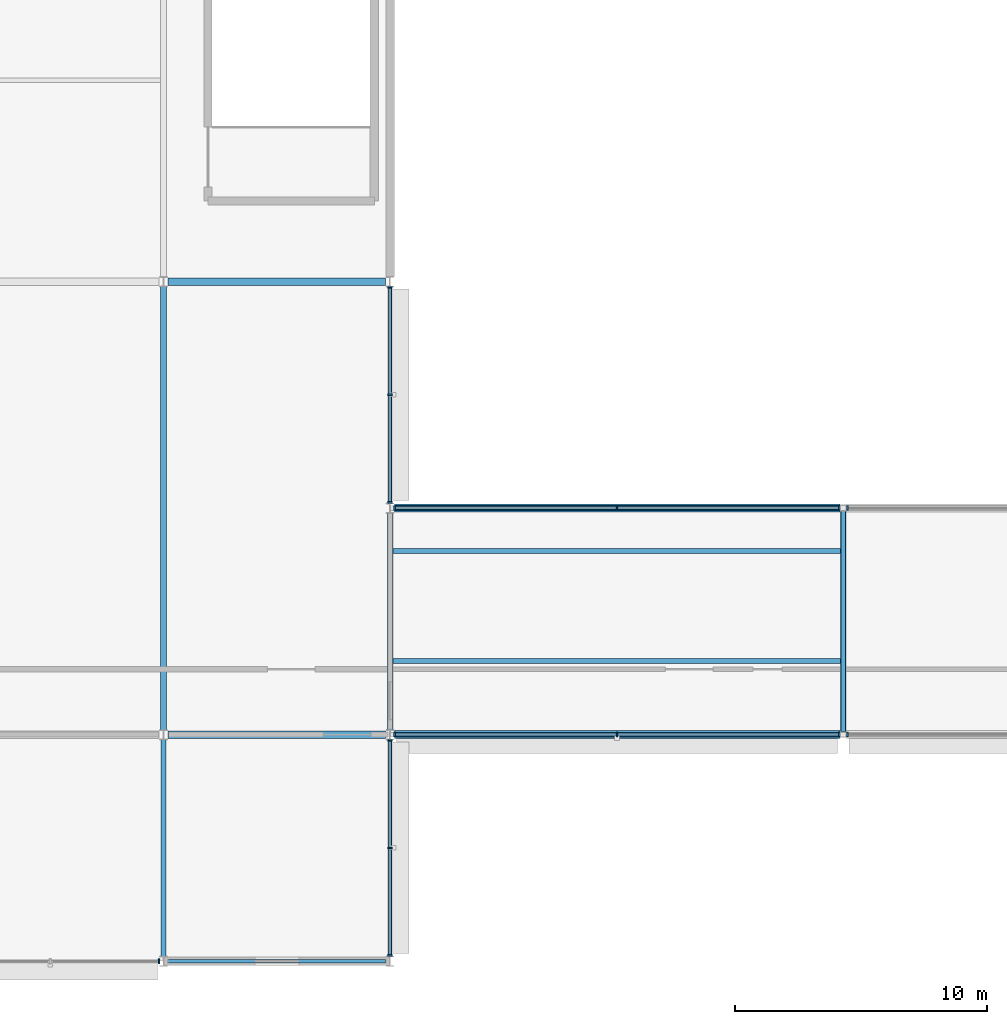
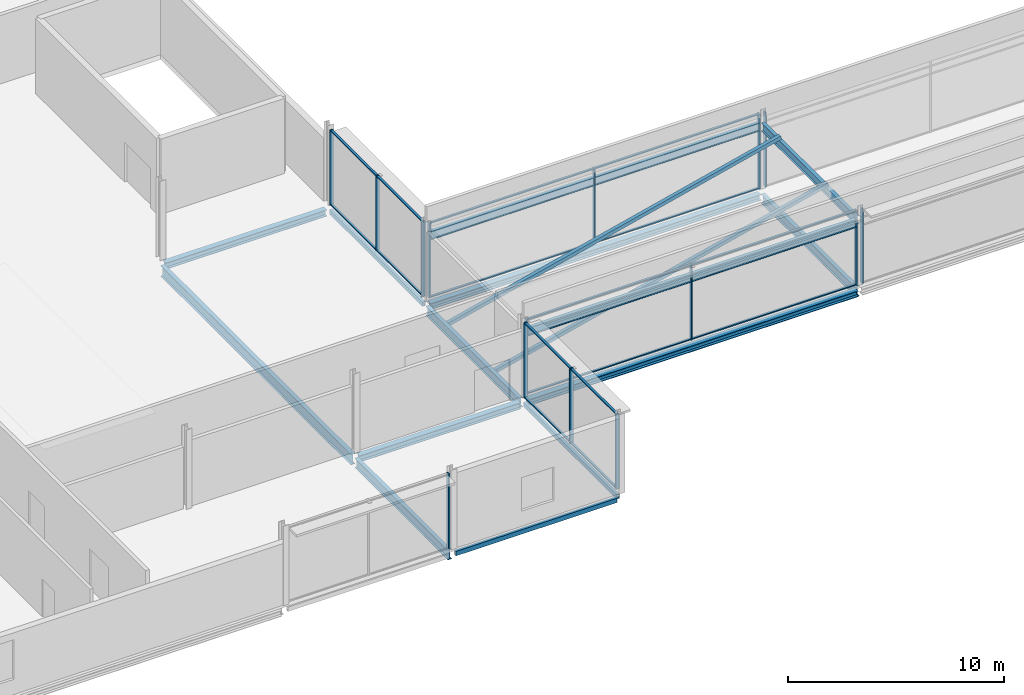
# One storey, part 16 of 73: 33 members, 14 beams, 7 elements without a shape of their own.
"""IFC4 building model written with IfcOpenShell, lengths in metres."""

from ifc_helpers import new_model, si_unit, direction, frame, origin, origin_2d, place, context, subcontext, project, spatial, rectangle, hollow_rectangle, i_section, extrude, material, layer, layer_set, material_profile, profile_set, type_object, element, aggregate, save


model = new_model("IFC4")

# Units and contexts
model_context = context("Model", 3, precision=1e-05, world=origin(), true_north=direction((0.0, 1.0)))
body_context = subcontext(model_context, "Body", "Model", "MODEL_VIEW")
ifc_project = project(units=[si_unit("LENGTHUNIT", "METRE"), si_unit("AREAUNIT", "SQUARE_METRE"), si_unit("VOLUMEUNIT", "CUBIC_METRE"), si_unit("PLANEANGLEUNIT", "RADIAN"), si_unit("MASSUNIT", "GRAM", prefix="KILO")], contexts=[model_context])

# Site, building, storey
site_placement = place(None, origin())
site = spatial("IfcSite", under=ifc_project, at=site_placement, CompositionType="ELEMENT")
building_placement = place(site_placement, origin())
building = spatial("IfcBuilding", under=site, at=building_placement, Name="Kisiwana Market Hall", CompositionType="ELEMENT")
storey_placement = place(building_placement, frame((0.0, 0.0, 33.300048828125)))
storey = spatial("IfcBuildingStorey", under=building, at=storey_placement, Name="L07", CompositionType="ELEMENT", Elevation=33.300048828125)

# Beams
ifc_material_1 = material(Name="Steel S355", Category="steel")
ifc_material_profile_1 = material_profile(ifc_material_1, i_section(OverallWidth=0.300048828125, OverallDepth=0.360107421875, WebThickness=0.012451171875, FlangeThickness=0.0224609375, at=origin_2d()), Name="HEB 360")
ifc_profile_set_1 = profile_set([ifc_material_profile_1], Name="Steel S355")
beam_type_1 = type_object("IfcBeamType", Name="BM-GIRD-HEB360", PredefinedType="BEAM", material=ifc_profile_set_1)
for number, where, z_axis, x_axis, name in (
    (1, (36.18115234375, 18.0, -0.4599609375), (1.0, 0.0, 0.0), (0.0, 1.0, 0.0), "Floor beam B-1966"),
    (2, (36.18115234375, 36.0, -0.4599609375), (1.0, 0.0, 0.0), (0.0, 1.0, 0.0), "Floor beam B-1986"),
):
    element("IfcBeam", number, at=place(storey_placement, frame(where, z_axis=z_axis, x_axis=x_axis)), inside=storey, type_object=beam_type_1, Name=name, PredefinedType="BEAM", context=body_context, shape_type="SweptSolid", body=[
        extrude(i_section(OverallWidth=0.300048828125, OverallDepth=0.360107421875, WebThickness=0.012451171875, FlangeThickness=0.0224609375, at=origin_2d()), origin(), (0.0, 0.0, 1.0), 8.6376953125),
    ])
ifc_material_2 = material(Name="Steel S355", Category="steel")
ifc_material_profile_2 = material_profile(ifc_material_2, i_section(OverallWidth=0.19140625, OverallDepth=0.4599609375, WebThickness=0.010009765625, FlangeThickness=0.01611328125, at=origin_2d()), Name="UB 457x191x82")
ifc_profile_set_2 = profile_set([ifc_material_profile_2], Name="Steel S355")
beam_type_2 = type_object("IfcBeamType", Name="BM-GIRD-UB457H", PredefinedType="BEAM", material=ifc_profile_set_2)
for number, where, z_axis, x_axis, name in (
    (3, (45.14599609375, 18.0, 3.52783203125), (1.0, 0.0, 0.0), (0.0, 1.0, 0.0), "Roof girder B-2057"),
    (4, (45.14599609375, 27.0, 3.52783203125), (1.0, 0.0, 0.0), (0.0, 1.0, 0.0), "Roof girder B-2063"),
):
    element("IfcBeam", number, at=place(storey_placement, frame(where, z_axis=z_axis, x_axis=x_axis)), inside=storey, type_object=beam_type_2, Name=name, PredefinedType="BEAM", context=body_context, shape_type="SweptSolid", body=[
        extrude(i_section(OverallWidth=0.19140625, OverallDepth=0.4599609375, WebThickness=0.010009765625, FlangeThickness=0.01611328125, at=origin_2d()), origin(), (0.0, 0.0, 1.0), 17.73291015625),
    ])
beam_1_placement = place(storey_placement, frame((63.0, 18.12109375, 3.52783203125), z_axis=(0.0, 1.0, 0.0), x_axis=(-1.0, 0.0, 0.0)))
element("IfcBeam", 5, at=beam_1_placement, inside=storey, type_object=beam_type_2, Name="Roof girder B-2069", PredefinedType="BEAM", context=body_context, shape_type="SweptSolid", body=[
    extrude(i_section(OverallWidth=0.19140625, OverallDepth=0.4599609375, WebThickness=0.010009765625, FlangeThickness=0.01611328125, at=origin_2d()), origin(), (0.0, 0.0, 1.0), 8.7578125),
])
ifc_material_3 = material(Name="Steel S355", Category="steel")
ifc_material_profile_3 = material_profile(ifc_material_3, i_section(OverallWidth=0.209228515625, OverallDepth=0.533203125, WebThickness=0.010009765625, FlangeThickness=0.015625, at=origin_2d()), Name="UB 533x210x92")
ifc_profile_set_3 = profile_set([ifc_material_profile_3], Name="Steel S355")
beam_type_3 = type_object("IfcBeamType", Name="BM-GIRD-UB533", PredefinedType="BEAM", material=ifc_profile_set_3)
for number, where, z_axis, x_axis, name in (
    (6, (36.0, 9.177001953125, -0.546630859375), (0.0, 1.0, 0.0), (-1.0, 0.0, 0.0), "Primary girder B-1891"),
    (7, (45.0, 18.177001953125, -0.546630859375), (0.0, 1.0, 0.0), (-1.0, 0.0, 0.0), "Primary girder B-1897"),
):
    element("IfcBeam", number, at=place(storey_placement, frame(where, z_axis=z_axis, x_axis=x_axis)), inside=storey, type_object=beam_type_3, Name=name, PredefinedType="BEAM", context=body_context, shape_type="SweptSolid", body=[
        extrude(i_section(OverallWidth=0.209228515625, OverallDepth=0.533203125, WebThickness=0.010009765625, FlangeThickness=0.015625, at=origin_2d()), origin(), (0.0, 0.0, 1.0), 8.64599609375),
    ])
beam_2_placement = place(storey_placement, frame((63.0, 18.12109375, -0.531494140625), z_axis=(0.0, 1.0, 0.0), x_axis=(-1.0, 0.0, 0.0)))
element("IfcBeam", 8, at=beam_2_placement, inside=storey, type_object=beam_type_3, Name="Primary girder B-1899", PredefinedType="BEAM", context=body_context, shape_type="SweptSolid", body=[
    extrude(i_section(OverallWidth=0.209228515625, OverallDepth=0.533203125, WebThickness=0.010009765625, FlangeThickness=0.015625, at=origin_2d()), origin(), (0.0, 0.0, 1.0), 8.7578125),
])
ifc_material_4 = material(Name="Steel S355", Category="steel")
ifc_material_profile_4 = material_profile(ifc_material_4, i_section(OverallWidth=0.22900390625, OverallDepth=0.6123046875, WebThickness=0.011962890625, FlangeThickness=0.01953125, at=origin_2d()), Name="UB 610x229x125")
ifc_profile_set_4 = profile_set([ifc_material_profile_4], Name="Steel S355")
beam_type_4 = type_object("IfcBeamType", Name="BM-GIRD-UB610H", PredefinedType="BEAM", material=ifc_profile_set_4)
beam_3_placement = place(storey_placement, frame((36.0, 18.177001953125, -0.586181640625), z_axis=(0.0, 1.0, 0.0), x_axis=(-1.0, 0.0, 0.0)))
element("IfcBeam", 9, at=beam_3_placement, inside=storey, type_object=beam_type_4, Name="Primary girder B-1892", PredefinedType="BEAM", context=body_context, shape_type="SweptSolid", body=[
    extrude(i_section(OverallWidth=0.22900390625, OverallDepth=0.6123046875, WebThickness=0.011962890625, FlangeThickness=0.01953125, at=origin_2d()), origin(), (0.0, 0.0, 1.0), 17.64599609375),
])
ifc_material_5 = material(Name="Steel S355", Category="steel")
ifc_material_profile_5 = material_profile(ifc_material_5, i_section(OverallWidth=0.314453125, OverallDepth=0.33984375, WebThickness=0.01904296875, FlangeThickness=0.031494140625, at=origin_2d()), Name="UC 305x305x198")
ifc_profile_set_5 = profile_set([ifc_material_profile_5], Name="Steel S355")
beam_type_5 = type_object("IfcBeamType", Name="BM-SKYBR-CHORD", PredefinedType="BEAM", material=ifc_profile_set_5)
for number, where, z_axis, x_axis, name in (
    (10, (45.18115234375, 18.0, -0.43505859375), (1.0, 0.0, 0.0), (0.0, 1.0, 0.0), "Floor beam B-1967"),
    (11, (45.18115234375, 27.0, -0.43505859375), (1.0, 0.0, 0.0), (0.0, 1.0, 0.0), "Floor beam B-1977"),
):
    element("IfcBeam", number, at=place(storey_placement, frame(where, z_axis=z_axis, x_axis=x_axis)), inside=storey, type_object=beam_type_5, Name=name, PredefinedType="BEAM", context=body_context, shape_type="SweptSolid", body=[
        extrude(i_section(OverallWidth=0.314453125, OverallDepth=0.33984375, WebThickness=0.01904296875, FlangeThickness=0.031494140625, at=origin_2d()), origin(), (0.0, 0.0, 1.0), 17.69775390625),
    ])
ifc_material_6 = material(Name="Steel S355", Category="steel")
ifc_material_profile_6 = material_profile(ifc_material_6, hollow_rectangle(XDim=0.14990234375, YDim=0.25, WallThickness=0.010009765625, at=origin_2d()), Name="RHS 250x150x10.0")
ifc_profile_set_6 = profile_set([ifc_material_profile_6], Name="Steel S355")
beam_type_6 = type_object("IfcBeamType", Name="BM-SPAN-RHS250", PredefinedType="SPANDREL", material=ifc_profile_set_6)
beam_4_placement = place(storey_placement, frame((36.18115234375, 9.0, -0.405029296875), z_axis=(1.0, 0.0, 0.0), x_axis=(0.0, 1.0, 0.0)))
element("IfcBeam", 12, at=beam_4_placement, inside=storey, type_object=beam_type_6, Name="Floor beam B-1958", PredefinedType="SPANDREL", context=body_context, shape_type="SweptSolid", body=[
    extrude(hollow_rectangle(XDim=0.14990234375, YDim=0.25, WallThickness=0.010009765625, at=origin_2d()), origin(), (0.0, 0.0, 1.0), 8.6376953125),
])
for number, where, z_axis, x_axis, name in (
    (13, (45.0, 9.177001953125, -0.405029296875), (0.0, 1.0, 0.0), (-1.0, 0.0, 0.0), "Floor beam B-2037"),
    (14, (45.0, 27.177001953125, -0.405029296875), (0.0, 1.0, 0.0), (-1.0, 0.0, 0.0), "Floor beam B-2038"),
):
    element("IfcBeam", number, at=place(storey_placement, frame(where, z_axis=z_axis, x_axis=x_axis)), inside=storey, type_object=beam_type_6, Name=name, PredefinedType="SPANDREL", context=body_context, shape_type="SweptSolid", body=[
        extrude(hollow_rectangle(XDim=0.14990234375, YDim=0.25, WallThickness=0.010009765625, at=origin_2d()), origin(), (0.0, 0.0, 1.0), 8.64599609375),
    ])

# Curtain wall, member
ifc_material_7 = material(Name="Double-glazed solar-control low-E IGU", Category="glass")
ifc_layer = layer(ifc_material_7, 0.159912109375)
ifc_layer_set = layer_set([ifc_layer], Name="CW-BRG-L07-8200")
curtain_wall_type = type_object("IfcCurtainWallType", Name="CW-BRG-L07-8200", PredefinedType="USERDEFINED", material=ifc_layer_set)
curtain_wall_1_placement = place(storey_placement, origin())
curtain_wall_1 = element("IfcCurtainWall", 15, at=curtain_wall_1_placement, inside=storey, type_object=curtain_wall_type, Name="Unitised curtain wall CW-210 (L07)", ObjectType="UNITISED CURTAIN WALL", PredefinedType="USERDEFINED")
ifc_material_8 = material(Name="Aluminium alloy 6063-T6", Category="aluminium")
ifc_material_profile_7 = material_profile(ifc_material_8, rectangle(XDim=0.070068359375, YDim=0.179931640625, at=origin_2d()), Name="ALU MULLION 70x180")
ifc_profile_set_7 = profile_set([ifc_material_profile_7], Name="Aluminium alloy 6063-T6")
member_type_1 = type_object("IfcMemberType", Name="CW-MULL-70x180", PredefinedType="MULLION", material=ifc_profile_set_7)
member_1_placement = place(storey_placement, frame((35.81494140625, 9.0, 0.0), z_axis=(0.0, 0.0, 1.0), x_axis=(1.0, 0.0, 0.0)))
member_1 = element("IfcMember", 16, at=member_1_placement, type_object=member_type_1, Name="CW-210 mullion 3", PredefinedType="MULLION", context=body_context, shape_type="SweptSolid", body=[
    extrude(rectangle(XDim=0.070068359375, YDim=0.179931640625, at=origin_2d()), origin(), (0.0, 0.0, 1.0), 4.2548828125),
])
aggregate(curtain_wall_1, [member_1])

# Curtain wall, members
curtain_wall_2_placement = place(storey_placement, origin())
curtain_wall_2 = element("IfcCurtainWall", 17, at=curtain_wall_2_placement, inside=storey, type_object=curtain_wall_type, Name="Unitised curtain wall CW-212 (L07)", ObjectType="UNITISED CURTAIN WALL", PredefinedType="USERDEFINED")
member_2_placement = place(storey_placement, frame((45.18505859375, 18.0, 0.0), z_axis=(0.0, 0.0, 1.0), x_axis=(1.0, 0.0, 0.0)))
member_2 = element("IfcMember", 18, at=member_2_placement, type_object=member_type_1, Name="CW-212 mullion 1", PredefinedType="MULLION", context=body_context, shape_type="SweptSolid", body=[
    extrude(rectangle(XDim=0.070068359375, YDim=0.179931640625, at=origin_2d()), origin(), (0.0, 0.0, 1.0), 4.2548828125),
])
member_3_placement = place(storey_placement, frame((54.012451171875, 18.0, 0.0), z_axis=(0.0, 0.0, 1.0), x_axis=(1.0, 0.0, 0.0)))
member_3 = element("IfcMember", 19, at=member_3_placement, type_object=member_type_1, Name="CW-212 mullion 2", PredefinedType="MULLION", context=body_context, shape_type="SweptSolid", body=[
    extrude(rectangle(XDim=0.070068359375, YDim=0.179931640625, at=origin_2d()), origin(), (0.0, 0.0, 1.0), 4.2548828125),
])
member_4_placement = place(storey_placement, frame((62.840087890625, 18.0, 0.0), z_axis=(0.0, 0.0, 1.0), x_axis=(1.0, 0.0, 0.0)))
member_4 = element("IfcMember", 20, at=member_4_placement, type_object=member_type_1, Name="CW-212 mullion 3", PredefinedType="MULLION", context=body_context, shape_type="SweptSolid", body=[
    extrude(rectangle(XDim=0.070068359375, YDim=0.179931640625, at=origin_2d()), origin(), (0.0, 0.0, 1.0), 4.2548828125),
])

# Curtain wall, member
curtain_wall_3_placement = place(storey_placement, origin())
curtain_wall_3 = element("IfcCurtainWall", 21, at=curtain_wall_3_placement, inside=storey, type_object=curtain_wall_type, Name="Unitised curtain wall CW-213 (L07)", ObjectType="UNITISED CURTAIN WALL", PredefinedType="USERDEFINED")
member_5_placement = place(storey_placement, frame((63.159912109375, 18.0, 0.0), z_axis=(0.0, 0.0, 1.0), x_axis=(1.0, 0.0, 0.0)))
member_5 = element("IfcMember", 22, at=member_5_placement, type_object=member_type_1, Name="CW-213 mullion 1", PredefinedType="MULLION", context=body_context, shape_type="SweptSolid", body=[
    extrude(rectangle(XDim=0.070068359375, YDim=0.179931640625, at=origin_2d()), origin(), (0.0, 0.0, 1.0), 4.2548828125),
])
aggregate(curtain_wall_3, [member_5])

# Curtain wall, members
curtain_wall_4_placement = place(storey_placement, origin())
curtain_wall_4 = element("IfcCurtainWall", 23, at=curtain_wall_4_placement, inside=storey, type_object=curtain_wall_type, Name="Unitised curtain wall CW-218 (L07)", ObjectType="UNITISED CURTAIN WALL", PredefinedType="USERDEFINED")
member_6_placement = place(storey_placement, frame((45.18505859375, 27.0, 0.0), z_axis=(0.0, 0.0, 1.0), x_axis=(1.0, 0.0, 0.0)))
member_6 = element("IfcMember", 24, at=member_6_placement, type_object=member_type_1, Name="CW-218 mullion 1", PredefinedType="MULLION", context=body_context, shape_type="SweptSolid", body=[
    extrude(rectangle(XDim=0.070068359375, YDim=0.179931640625, at=origin_2d()), origin(), (0.0, 0.0, 1.0), 4.2548828125),
])
member_7_placement = place(storey_placement, frame((54.012451171875, 27.0, 0.0), z_axis=(0.0, 0.0, 1.0), x_axis=(1.0, 0.0, 0.0)))
member_7 = element("IfcMember", 25, at=member_7_placement, type_object=member_type_1, Name="CW-218 mullion 2", PredefinedType="MULLION", context=body_context, shape_type="SweptSolid", body=[
    extrude(rectangle(XDim=0.070068359375, YDim=0.179931640625, at=origin_2d()), origin(), (0.0, 0.0, 1.0), 4.2548828125),
])
member_8_placement = place(storey_placement, frame((62.840087890625, 27.0, 0.0), z_axis=(0.0, 0.0, 1.0), x_axis=(1.0, 0.0, 0.0)))
member_8 = element("IfcMember", 26, at=member_8_placement, type_object=member_type_1, Name="CW-218 mullion 3", PredefinedType="MULLION", context=body_context, shape_type="SweptSolid", body=[
    extrude(rectangle(XDim=0.070068359375, YDim=0.179931640625, at=origin_2d()), origin(), (0.0, 0.0, 1.0), 4.2548828125),
])

# Curtain wall, member
curtain_wall_5_placement = place(storey_placement, origin())
curtain_wall_5 = element("IfcCurtainWall", 27, at=curtain_wall_5_placement, inside=storey, type_object=curtain_wall_type, Name="Unitised curtain wall CW-219 (L07)", ObjectType="UNITISED CURTAIN WALL", PredefinedType="USERDEFINED")
member_9_placement = place(storey_placement, frame((63.159912109375, 27.0, 0.0), z_axis=(0.0, 0.0, 1.0), x_axis=(1.0, 0.0, 0.0)))
member_9 = element("IfcMember", 28, at=member_9_placement, type_object=member_type_1, Name="CW-219 mullion 1", PredefinedType="MULLION", context=body_context, shape_type="SweptSolid", body=[
    extrude(rectangle(XDim=0.070068359375, YDim=0.179931640625, at=origin_2d()), origin(), (0.0, 0.0, 1.0), 4.2548828125),
])
aggregate(curtain_wall_5, [member_9])

# Curtain wall, members
curtain_wall_6_placement = place(storey_placement, origin())
curtain_wall_6 = element("IfcCurtainWall", 29, at=curtain_wall_6_placement, inside=storey, type_object=curtain_wall_type, Name="Unitised curtain wall CW-228 (L07)", ObjectType="UNITISED CURTAIN WALL", PredefinedType="USERDEFINED")
member_10_placement = place(storey_placement, frame((45.0, 9.235107421875, 0.0), z_axis=(0.0, 0.0, 1.0), x_axis=(0.0, 1.0, 0.0)))
member_10 = element("IfcMember", 30, at=member_10_placement, type_object=member_type_1, Name="CW-228 mullion 1", PredefinedType="MULLION", context=body_context, shape_type="SweptSolid", body=[
    extrude(rectangle(XDim=0.070068359375, YDim=0.179931640625, at=origin_2d()), origin(), (0.0, 0.0, 1.0), 4.2548828125),
])
member_11_placement = place(storey_placement, frame((45.0, 13.5, 0.0), z_axis=(0.0, 0.0, 1.0), x_axis=(0.0, 1.0, 0.0)))
member_11 = element("IfcMember", 31, at=member_11_placement, type_object=member_type_1, Name="CW-228 mullion 2", PredefinedType="MULLION", context=body_context, shape_type="SweptSolid", body=[
    extrude(rectangle(XDim=0.070068359375, YDim=0.179931640625, at=origin_2d()), origin(), (0.0, 0.0, 1.0), 4.2548828125),
])
member_12_placement = place(storey_placement, frame((45.0, 17.764892578125, 0.0), z_axis=(0.0, 0.0, 1.0), x_axis=(0.0, 1.0, 0.0)))
member_12 = element("IfcMember", 32, at=member_12_placement, type_object=member_type_1, Name="CW-228 mullion 3", PredefinedType="MULLION", context=body_context, shape_type="SweptSolid", body=[
    extrude(rectangle(XDim=0.070068359375, YDim=0.179931640625, at=origin_2d()), origin(), (0.0, 0.0, 1.0), 4.2548828125),
])

curtain_wall_7_placement = place(storey_placement, origin())
curtain_wall_7 = element("IfcCurtainWall", 33, at=curtain_wall_7_placement, inside=storey, type_object=curtain_wall_type, Name="Unitised curtain wall CW-229 (L07)", ObjectType="UNITISED CURTAIN WALL", PredefinedType="USERDEFINED")
member_13_placement = place(storey_placement, frame((45.0, 27.235107421875, 0.0), z_axis=(0.0, 0.0, 1.0), x_axis=(0.0, 1.0, 0.0)))
member_13 = element("IfcMember", 34, at=member_13_placement, type_object=member_type_1, Name="CW-229 mullion 1", PredefinedType="MULLION", context=body_context, shape_type="SweptSolid", body=[
    extrude(rectangle(XDim=0.070068359375, YDim=0.179931640625, at=origin_2d()), origin(), (0.0, 0.0, 1.0), 4.2548828125),
])
member_14_placement = place(storey_placement, frame((45.0, 31.5, 0.0), z_axis=(0.0, 0.0, 1.0), x_axis=(0.0, 1.0, 0.0)))
member_14 = element("IfcMember", 35, at=member_14_placement, type_object=member_type_1, Name="CW-229 mullion 2", PredefinedType="MULLION", context=body_context, shape_type="SweptSolid", body=[
    extrude(rectangle(XDim=0.070068359375, YDim=0.179931640625, at=origin_2d()), origin(), (0.0, 0.0, 1.0), 4.2548828125),
])
member_15_placement = place(storey_placement, frame((45.0, 35.764892578125, 0.0), z_axis=(0.0, 0.0, 1.0), x_axis=(0.0, 1.0, 0.0)))
member_15 = element("IfcMember", 36, at=member_15_placement, type_object=member_type_1, Name="CW-229 mullion 3", PredefinedType="MULLION", context=body_context, shape_type="SweptSolid", body=[
    extrude(rectangle(XDim=0.070068359375, YDim=0.179931640625, at=origin_2d()), origin(), (0.0, 0.0, 1.0), 4.2548828125),
])

# Member
ifc_material_9 = material(Name="Aluminium alloy 6063-T6", Category="aluminium")
ifc_material_profile_8 = material_profile(ifc_material_9, rectangle(XDim=0.1201171875, YDim=0.06005859375, at=origin_2d()), Name="ALU TRANSOM 60x120")
ifc_profile_set_8 = profile_set([ifc_material_profile_8], Name="Aluminium alloy 6063-T6")
member_type_2 = type_object("IfcMemberType", Name="CW-TRAN-60x120", PredefinedType="USERDEFINED", material=ifc_profile_set_8)
member_16_placement = place(storey_placement, frame((45.219970703125, 18.0, 0.030029296875), z_axis=(1.0, 0.0, 0.0), x_axis=(0.0, 1.0, 0.0)))
member_16 = element("IfcMember", 37, at=member_16_placement, type_object=member_type_2, Name="CW-212 transom 1.1", ObjectType="TRANSOM", PredefinedType="USERDEFINED", context=body_context, shape_type="SweptSolid", body=[
    extrude(rectangle(XDim=0.1201171875, YDim=0.06005859375, at=origin_2d()), origin(), (0.0, 0.0, 1.0), 8.757568359375),
])

member_17_placement = place(storey_placement, frame((45.219970703125, 18.0, 4.224853515625), z_axis=(1.0, 0.0, 0.0), x_axis=(0.0, 1.0, 0.0)))
member_17 = element("IfcMember", 38, at=member_17_placement, type_object=member_type_2, Name="CW-212 transom 1.2", ObjectType="TRANSOM", PredefinedType="USERDEFINED", context=body_context, shape_type="SweptSolid", body=[
    extrude(rectangle(XDim=0.1201171875, YDim=0.06005859375, at=origin_2d()), origin(), (0.0, 0.0, 1.0), 8.757568359375),
])

member_18_placement = place(storey_placement, frame((54.047607421875, 18.0, 0.030029296875), z_axis=(1.0, 0.0, 0.0), x_axis=(0.0, 1.0, 0.0)))
member_18 = element("IfcMember", 39, at=member_18_placement, type_object=member_type_2, Name="CW-212 transom 2.1", ObjectType="TRANSOM", PredefinedType="USERDEFINED", context=body_context, shape_type="SweptSolid", body=[
    extrude(rectangle(XDim=0.1201171875, YDim=0.06005859375, at=origin_2d()), origin(), (0.0, 0.0, 1.0), 8.75732421875),
])

member_19_placement = place(storey_placement, frame((54.047607421875, 18.0, 4.224853515625), z_axis=(1.0, 0.0, 0.0), x_axis=(0.0, 1.0, 0.0)))
member_19 = element("IfcMember", 40, at=member_19_placement, type_object=member_type_2, Name="CW-212 transom 2.2", ObjectType="TRANSOM", PredefinedType="USERDEFINED", context=body_context, shape_type="SweptSolid", body=[
    extrude(rectangle(XDim=0.1201171875, YDim=0.06005859375, at=origin_2d()), origin(), (0.0, 0.0, 1.0), 8.75732421875),
])

aggregate(curtain_wall_2, [member_2, member_3, member_4, member_16, member_17, member_18, member_19])

member_20_placement = place(storey_placement, frame((45.219970703125, 27.0, 0.030029296875), z_axis=(1.0, 0.0, 0.0), x_axis=(0.0, 1.0, 0.0)))
member_20 = element("IfcMember", 41, at=member_20_placement, type_object=member_type_2, Name="CW-218 transom 1.1", ObjectType="TRANSOM", PredefinedType="USERDEFINED", context=body_context, shape_type="SweptSolid", body=[
    extrude(rectangle(XDim=0.1201171875, YDim=0.06005859375, at=origin_2d()), origin(), (0.0, 0.0, 1.0), 8.757568359375),
])

member_21_placement = place(storey_placement, frame((45.219970703125, 27.0, 4.224853515625), z_axis=(1.0, 0.0, 0.0), x_axis=(0.0, 1.0, 0.0)))
member_21 = element("IfcMember", 42, at=member_21_placement, type_object=member_type_2, Name="CW-218 transom 1.2", ObjectType="TRANSOM", PredefinedType="USERDEFINED", context=body_context, shape_type="SweptSolid", body=[
    extrude(rectangle(XDim=0.1201171875, YDim=0.06005859375, at=origin_2d()), origin(), (0.0, 0.0, 1.0), 8.757568359375),
])

member_22_placement = place(storey_placement, frame((54.047607421875, 27.0, 0.030029296875), z_axis=(1.0, 0.0, 0.0), x_axis=(0.0, 1.0, 0.0)))
member_22 = element("IfcMember", 43, at=member_22_placement, type_object=member_type_2, Name="CW-218 transom 2.1", ObjectType="TRANSOM", PredefinedType="USERDEFINED", context=body_context, shape_type="SweptSolid", body=[
    extrude(rectangle(XDim=0.1201171875, YDim=0.06005859375, at=origin_2d()), origin(), (0.0, 0.0, 1.0), 8.75732421875),
])

member_23_placement = place(storey_placement, frame((54.047607421875, 27.0, 4.224853515625), z_axis=(1.0, 0.0, 0.0), x_axis=(0.0, 1.0, 0.0)))
member_23 = element("IfcMember", 44, at=member_23_placement, type_object=member_type_2, Name="CW-218 transom 2.2", ObjectType="TRANSOM", PredefinedType="USERDEFINED", context=body_context, shape_type="SweptSolid", body=[
    extrude(rectangle(XDim=0.1201171875, YDim=0.06005859375, at=origin_2d()), origin(), (0.0, 0.0, 1.0), 8.75732421875),
])

aggregate(curtain_wall_4, [member_6, member_7, member_8, member_20, member_21, member_22, member_23])

member_24_placement = place(storey_placement, frame((45.0, 9.27001953125, 0.030029296875), z_axis=(0.0, 1.0, 0.0), x_axis=(-1.0, 0.0, 0.0)))
member_24 = element("IfcMember", 45, at=member_24_placement, type_object=member_type_2, Name="CW-228 transom 1.1", ObjectType="TRANSOM", PredefinedType="USERDEFINED", context=body_context, shape_type="SweptSolid", body=[
    extrude(rectangle(XDim=0.1201171875, YDim=0.06005859375, at=origin_2d()), origin(), (0.0, 0.0, 1.0), 4.195068359375),
])

member_25_placement = place(storey_placement, frame((45.0, 9.27001953125, 4.224853515625), z_axis=(0.0, 1.0, 0.0), x_axis=(-1.0, 0.0, 0.0)))
member_25 = element("IfcMember", 46, at=member_25_placement, type_object=member_type_2, Name="CW-228 transom 1.2", ObjectType="TRANSOM", PredefinedType="USERDEFINED", context=body_context, shape_type="SweptSolid", body=[
    extrude(rectangle(XDim=0.1201171875, YDim=0.06005859375, at=origin_2d()), origin(), (0.0, 0.0, 1.0), 4.195068359375),
])

member_26_placement = place(storey_placement, frame((45.0, 13.534912109375, 0.030029296875), z_axis=(0.0, 1.0, 0.0), x_axis=(-1.0, 0.0, 0.0)))
member_26 = element("IfcMember", 47, at=member_26_placement, type_object=member_type_2, Name="CW-228 transom 2.1", ObjectType="TRANSOM", PredefinedType="USERDEFINED", context=body_context, shape_type="SweptSolid", body=[
    extrude(rectangle(XDim=0.1201171875, YDim=0.06005859375, at=origin_2d()), origin(), (0.0, 0.0, 1.0), 4.195068359375),
])

member_27_placement = place(storey_placement, frame((45.0, 13.534912109375, 4.224853515625), z_axis=(0.0, 1.0, 0.0), x_axis=(-1.0, 0.0, 0.0)))
member_27 = element("IfcMember", 48, at=member_27_placement, type_object=member_type_2, Name="CW-228 transom 2.2", ObjectType="TRANSOM", PredefinedType="USERDEFINED", context=body_context, shape_type="SweptSolid", body=[
    extrude(rectangle(XDim=0.1201171875, YDim=0.06005859375, at=origin_2d()), origin(), (0.0, 0.0, 1.0), 4.195068359375),
])

aggregate(curtain_wall_6, [member_10, member_11, member_12, member_24, member_25, member_26, member_27])

member_28_placement = place(storey_placement, frame((45.0, 27.27001953125, 0.030029296875), z_axis=(0.0, 1.0, 0.0), x_axis=(-1.0, 0.0, 0.0)))
member_28 = element("IfcMember", 49, at=member_28_placement, type_object=member_type_2, Name="CW-229 transom 1.1", ObjectType="TRANSOM", PredefinedType="USERDEFINED", context=body_context, shape_type="SweptSolid", body=[
    extrude(rectangle(XDim=0.1201171875, YDim=0.06005859375, at=origin_2d()), origin(), (0.0, 0.0, 1.0), 4.195068359375),
])

member_29_placement = place(storey_placement, frame((45.0, 27.27001953125, 4.224853515625), z_axis=(0.0, 1.0, 0.0), x_axis=(-1.0, 0.0, 0.0)))
member_29 = element("IfcMember", 50, at=member_29_placement, type_object=member_type_2, Name="CW-229 transom 1.2", ObjectType="TRANSOM", PredefinedType="USERDEFINED", context=body_context, shape_type="SweptSolid", body=[
    extrude(rectangle(XDim=0.1201171875, YDim=0.06005859375, at=origin_2d()), origin(), (0.0, 0.0, 1.0), 4.195068359375),
])

member_30_placement = place(storey_placement, frame((45.0, 31.534912109375, 0.030029296875), z_axis=(0.0, 1.0, 0.0), x_axis=(-1.0, 0.0, 0.0)))
member_30 = element("IfcMember", 51, at=member_30_placement, type_object=member_type_2, Name="CW-229 transom 2.1", ObjectType="TRANSOM", PredefinedType="USERDEFINED", context=body_context, shape_type="SweptSolid", body=[
    extrude(rectangle(XDim=0.1201171875, YDim=0.06005859375, at=origin_2d()), origin(), (0.0, 0.0, 1.0), 4.195068359375),
])

member_31_placement = place(storey_placement, frame((45.0, 31.534912109375, 4.224853515625), z_axis=(0.0, 1.0, 0.0), x_axis=(-1.0, 0.0, 0.0)))
member_31 = element("IfcMember", 52, at=member_31_placement, type_object=member_type_2, Name="CW-229 transom 2.2", ObjectType="TRANSOM", PredefinedType="USERDEFINED", context=body_context, shape_type="SweptSolid", body=[
    extrude(rectangle(XDim=0.1201171875, YDim=0.06005859375, at=origin_2d()), origin(), (0.0, 0.0, 1.0), 4.195068359375),
])

aggregate(curtain_wall_7, [member_13, member_14, member_15, member_28, member_29, member_30, member_31])

# Members
ifc_material_10 = material(Name="Steel S355", Category="steel")
ifc_material_profile_9 = material_profile(ifc_material_10, hollow_rectangle(XDim=0.199951171875, YDim=0.199951171875, WallThickness=0.010009765625, at=origin_2d()), Name="SHS 200x200x10.0")
ifc_profile_set_9 = profile_set([ifc_material_profile_9], Name="Steel S355")
member_type_3 = type_object("IfcMemberType", Name="MB-SKY-DIAG200", PredefinedType="BRACE", material=ifc_profile_set_9)
for number, where, z_axis, x_axis, name in (
    (53, (45.0, 20.919921875, -0.5), (0.971336371937, 0.0, 0.237709176417), (0.0, 1.0, 0.0), "Skybridge truss diagonal L07 grids 6 to 8 M-0502"),
    (54, (45.0, 25.300048828125, -0.5), (0.971336371937, 0.0, 0.237709176417), (0.0, 1.0, 0.0), "Skybridge truss diagonal L07 grids 6 to 8 M-0503"),
):
    element("IfcMember", number, at=place(storey_placement, frame(where, z_axis=z_axis, x_axis=x_axis)), inside=storey, type_object=member_type_3, Name=name, PredefinedType="BRACE", context=body_context, shape_type="SweptSolid", body=[
        extrude(hollow_rectangle(XDim=0.199951171875, YDim=0.199951171875, WallThickness=0.010009765625, at=origin_2d()), origin(), (0.0, 0.0, 1.0), 18.53125),
    ])

save(model, "model.ifc")
